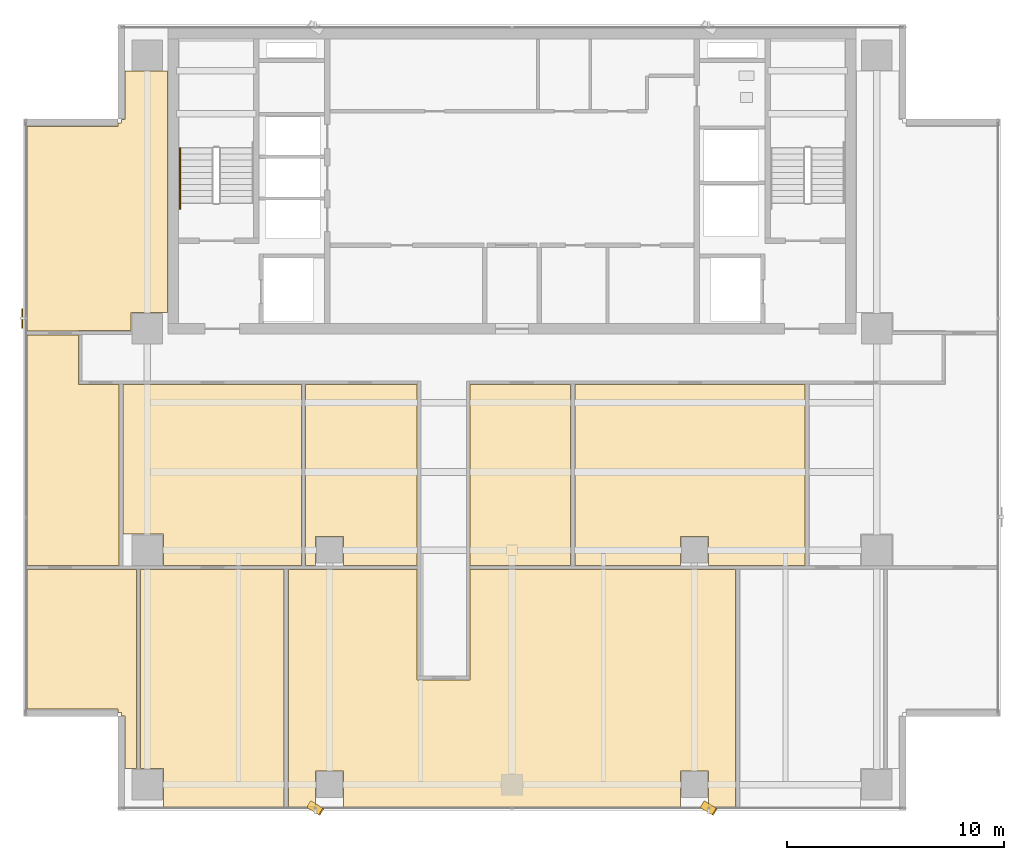
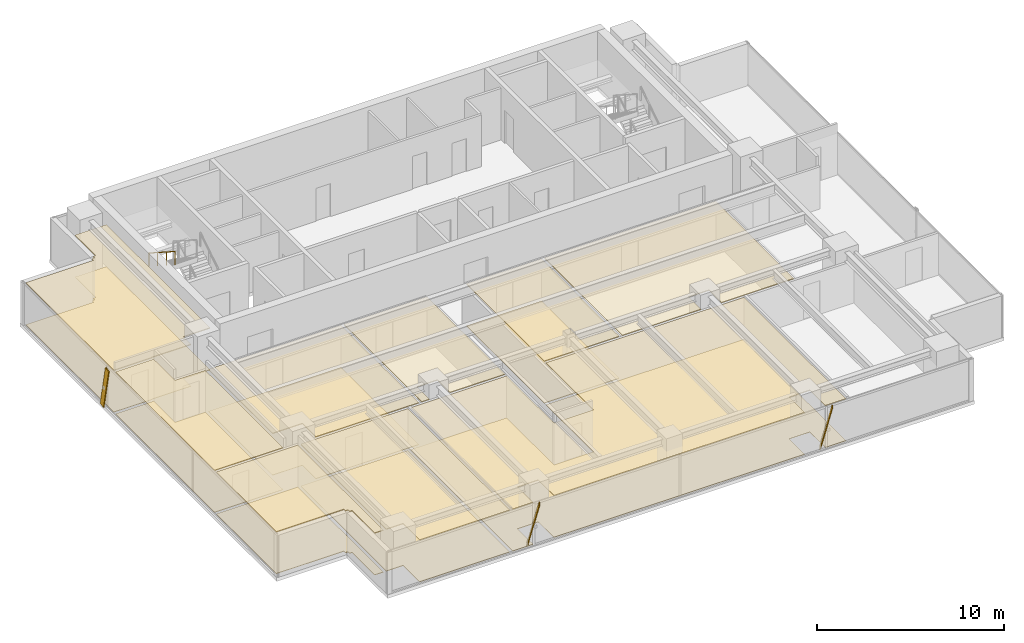
# One storey, part 22 of 26: 16 coverings, 3 shading devices, 1 railing.
"""IFC4 building model written with IfcOpenShell, lengths in metres."""

from ifc_helpers import new_model, si_unit, direction, frame, origin, origin_2d, place, context, subcontext, project, spatial, polyline, rectangle, outline, extrude, source, transform, mapped, material, layer, layer_set, material_profile, profile_set, type_object, element, save


model = new_model("IFC4")

# Units and contexts
model_context = context("Model", 3, precision=1e-05, world=origin(), true_north=direction((0.0, 1.0)))
body_context = subcontext(model_context, "Body", "Model", "MODEL_VIEW")
ifc_project = project(units=[si_unit("LENGTHUNIT", "METRE"), si_unit("AREAUNIT", "SQUARE_METRE"), si_unit("VOLUMEUNIT", "CUBIC_METRE"), si_unit("PLANEANGLEUNIT", "RADIAN"), si_unit("MASSUNIT", "GRAM", prefix="KILO")], contexts=[model_context])

# Site, building, storey
site_placement = place(None, origin())
site = spatial("IfcSite", under=ifc_project, at=site_placement, CompositionType="ELEMENT")
building_placement = place(site_placement, origin())
building = spatial("IfcBuilding", under=site, at=building_placement, Name="Sumidabori Civic Tower", CompositionType="ELEMENT")
storey_placement = place(building_placement, frame((0.0, 0.0, 243.199951171875)))
storey = spatial("IfcBuildingStorey", under=building, at=storey_placement, Name="L63", CompositionType="ELEMENT", Elevation=243.199951171875)

# Coverings
ifc_material_1 = material(Name="Anodised Bronze Baffle Ceiling")
ifc_layer_1 = layer(ifc_material_1, 0.054931640625, Name="Anodised Bronze Baffle Ceiling")
ifc_layer_set_1 = layer_set([ifc_layer_1], Name="Anodised Bronze Baffle Ceiling")
covering_type_1 = type_object("IfcCoveringType", Name="CV-CEIL-AC3", PredefinedType="CEILING", material=ifc_layer_set_1)
covering_1_placement = place(storey_placement, frame((0.0, 0.0, 2.719970703125)))
element("IfcCovering", 1, at=covering_1_placement, inside=storey, type_object=covering_type_1, Name="Room Acoustic Ceiling L63-01", PredefinedType="CEILING", context=body_context, shape_type="SweptSolid", body=[
    extrude(outline(polyline([(-22.330078125, 10.094970703125), (-22.330078125, 19.52197265625), (-18.14208984375, 19.52197265625), (-18.14208984375, 19.679931640625), (-17.97998046875, 19.679931640625), (-17.97998046875, 19.842041015625), (-17.822021484375, 19.842041015625), (-17.822021484375, 22.06005859375), (-15.8779296875, 22.06005859375), (-15.8779296875, 10.93994140625), (-17.5400390625, 10.93994140625), (-17.5400390625, 10.1201171875), (-19.969970703125, 10.1201171875), (-19.969970703125, 10.094970703125), (-22.330078125, 10.094970703125)])), origin(), (0.0, 0.0, 1.0), 0.05517578125),
])
covering_2_placement = place(storey_placement, frame((0.0, 0.0, 2.719970703125)))
element("IfcCovering", 2, at=covering_2_placement, inside=storey, type_object=covering_type_1, Name="Room Acoustic Ceiling L63-03", PredefinedType="CEILING", context=body_context, shape_type="SweptSolid", body=[
    extrude(outline(polyline([(-19.969970703125, 7.6298828125), (-18.094970703125, 7.6298828125), (-18.094970703125, -0.705078125), (-22.330078125, -0.705078125), (-22.330078125, 9.905029296875), (-19.969970703125, 9.905029296875), (-19.969970703125, 7.6298828125)])), origin(), (0.0, 0.0, 1.0), 0.05517578125),
])
covering_3_placement = place(storey_placement, frame((0.0, 0.0, 2.719970703125)))
element("IfcCovering", 3, at=covering_3_placement, inside=storey, type_object=covering_type_1, Name="Room Acoustic Ceiling L63-05", PredefinedType="CEILING", context=body_context, shape_type="SweptSolid", body=[
    extrude(outline(polyline([(-17.905029296875, 7.6298828125), (-9.695068359375, 7.6298828125), (-9.695068359375, -0.705078125), (-16.06005859375, -0.705078125), (-16.06005859375, 0.739990234375), (-17.905029296875, 0.739990234375), (-17.905029296875, 7.6298828125)])), origin(), (0.0, 0.0, 1.0), 0.05517578125),
])
covering_4_placement = place(storey_placement, frame((0.0, 0.0, 2.719970703125)))
element("IfcCovering", 4, at=covering_4_placement, inside=storey, type_object=covering_type_1, Name="Room Acoustic Ceiling L63-06", PredefinedType="CEILING", context=body_context, shape_type="SweptSolid", body=[
    extrude(outline(polyline([(-9.5048828125, 7.6298828125), (-4.3701171875, 7.6298828125), (-4.3701171875, -0.705078125), (-7.760009765625, -0.705078125), (-7.760009765625, 0.639892578125), (-9.0400390625, 0.639892578125), (-9.0400390625, -0.705078125), (-9.5048828125, -0.705078125), (-9.5048828125, 7.6298828125)])), origin(), (0.0, 0.0, 1.0), 0.05517578125),
])
covering_5_placement = place(storey_placement, frame((0.0, 0.0, 2.719970703125)))
element("IfcCovering", 5, at=covering_5_placement, inside=storey, type_object=covering_type_1, Name="Room Acoustic Ceiling L63-07", PredefinedType="CEILING", context=body_context, shape_type="SweptSolid", body=[
    extrude(outline(polyline([(-1.929931640625, 7.6298828125), (2.705078125, 7.6298828125), (2.705078125, -0.705078125), (-1.929931640625, -0.705078125), (-1.929931640625, 7.6298828125)])), origin(), (0.0, 0.0, 1.0), 0.05517578125),
])
covering_6_placement = place(storey_placement, frame((0.0, 0.0, 2.719970703125)))
element("IfcCovering", 6, at=covering_6_placement, inside=storey, type_object=covering_type_1, Name="Room Acoustic Ceiling L63-08", PredefinedType="CEILING", context=body_context, shape_type="SweptSolid", body=[
    extrude(outline(polyline([(2.89501953125, 7.6298828125), (13.5048828125, 7.6298828125), (13.5048828125, -0.705078125), (9.0400390625, -0.705078125), (9.0400390625, 0.639892578125), (7.760009765625, 0.639892578125), (7.760009765625, -0.705078125), (2.89501953125, -0.705078125), (2.89501953125, 7.6298828125)])), origin(), (0.0, 0.0, 1.0), 0.05517578125),
])
covering_7_placement = place(storey_placement, frame((0.0, 0.0, 2.719970703125)))
element("IfcCovering", 7, at=covering_7_placement, inside=storey, type_object=covering_type_1, Name="Room Acoustic Ceiling L63-09", PredefinedType="CEILING", context=body_context, shape_type="SweptSolid", body=[
    extrude(outline(polyline([(-22.330078125, -7.322021484375), (-22.330078125, -0.89501953125), (-17.294921875, -0.89501953125), (-17.294921875, -10.06005859375), (-17.822021484375, -10.06005859375), (-17.822021484375, -7.64208984375), (-17.97998046875, -7.64208984375), (-17.97998046875, -7.47998046875), (-18.14208984375, -7.47998046875), (-18.14208984375, -7.322021484375), (-22.330078125, -7.322021484375)])), origin(), (0.0, 0.0, 1.0), 0.05517578125),
])
covering_8_placement = place(storey_placement, frame((0.0, 0.0, 2.719970703125)))
element("IfcCovering", 8, at=covering_8_placement, inside=storey, type_object=covering_type_1, Name="Room Acoustic Ceiling L63-11", PredefinedType="CEILING", context=body_context, shape_type="SweptSolid", body=[
    extrude(outline(polyline([(-16.06005859375, -10.06005859375), (-17.10498046875, -10.06005859375), (-17.10498046875, -0.89501953125), (-10.4951171875, -0.89501953125), (-10.4951171875, -11.830078125), (-16.06005859375, -11.830078125), (-16.06005859375, -10.06005859375)])), origin(), (0.0, 0.0, 1.0), 0.05517578125),
])
covering_9_placement = place(storey_placement, frame((0.0, 0.0, 2.719970703125)))
element("IfcCovering", 9, at=covering_9_placement, inside=storey, type_object=covering_type_1, Name="Room Acoustic Ceiling L63-13", PredefinedType="CEILING", context=body_context, shape_type="SweptSolid", body=[
    extrude(outline(polyline([(-4.3701171875, -5.969970703125), (-1.929931640625, -5.969970703125), (-1.929931640625, -0.89501953125), (10.304931640625, -0.89501953125), (10.304931640625, -11.830078125), (9.0400390625, -11.830078125), (9.0400390625, -10.159912109375), (7.760009765625, -10.159912109375), (7.760009765625, -11.830078125), (-7.760009765625, -11.830078125), (-7.760009765625, -10.159912109375), (-9.0400390625, -10.159912109375), (-9.0400390625, -11.830078125), (-10.304931640625, -11.830078125), (-10.304931640625, -0.89501953125), (-4.3701171875, -0.89501953125), (-4.3701171875, -5.969970703125)])), origin(), (0.0, 0.0, 1.0), 0.05517578125),
])
ifc_material_2 = material(Name="Honed Terrazzo Tile Flooring")
ifc_layer_2 = layer(ifc_material_2, 0.030029296875, Name="Honed Terrazzo Tile Flooring")
ifc_layer_set_2 = layer_set([ifc_layer_2], Name="Honed Terrazzo Tile Flooring")
covering_type_2 = type_object("IfcCoveringType", Name="CV-FLR-TER", PredefinedType="FLOORING", material=ifc_layer_set_2)
covering_10_placement = place(storey_placement, origin())
element("IfcCovering", 10, at=covering_10_placement, inside=storey, type_object=covering_type_2, Name="Room Terrazzo Floor L63-01", PredefinedType="FLOORING", context=body_context, shape_type="SweptSolid", body=[
    extrude(outline(polyline([(-22.330078125, 10.094970703125), (-22.330078125, 19.52197265625), (-18.14208984375, 19.52197265625), (-18.14208984375, 19.679931640625), (-17.97998046875, 19.679931640625), (-17.97998046875, 19.842041015625), (-17.822021484375, 19.842041015625), (-17.822021484375, 22.06005859375), (-15.8779296875, 22.06005859375), (-15.8779296875, 10.93994140625), (-17.5400390625, 10.93994140625), (-17.5400390625, 10.1201171875), (-19.969970703125, 10.1201171875), (-19.969970703125, 10.094970703125), (-22.330078125, 10.094970703125)])), origin(), (0.0, 0.0, 1.0), 0.030029296875),
])
covering_11_placement = place(storey_placement, origin())
element("IfcCovering", 11, at=covering_11_placement, inside=storey, type_object=covering_type_2, Name="Room Terrazzo Floor L63-03", PredefinedType="FLOORING", context=body_context, shape_type="SweptSolid", body=[
    extrude(outline(polyline([(-19.969970703125, 7.6298828125), (-18.094970703125, 7.6298828125), (-18.094970703125, -0.705078125), (-22.330078125, -0.705078125), (-22.330078125, 9.905029296875), (-19.969970703125, 9.905029296875), (-19.969970703125, 7.6298828125)])), origin(), (0.0, 0.0, 1.0), 0.030029296875),
])
covering_12_placement = place(storey_placement, origin())
element("IfcCovering", 12, at=covering_12_placement, inside=storey, type_object=covering_type_2, Name="Room Terrazzo Floor L63-05", PredefinedType="FLOORING", context=body_context, shape_type="SweptSolid", body=[
    extrude(outline(polyline([(-17.905029296875, 7.6298828125), (-9.695068359375, 7.6298828125), (-9.695068359375, -0.705078125), (-16.06005859375, -0.705078125), (-16.06005859375, 0.739990234375), (-17.905029296875, 0.739990234375), (-17.905029296875, 7.6298828125)])), origin(), (0.0, 0.0, 1.0), 0.030029296875),
])
covering_13_placement = place(storey_placement, origin())
element("IfcCovering", 13, at=covering_13_placement, inside=storey, type_object=covering_type_2, Name="Room Terrazzo Floor L63-07", PredefinedType="FLOORING", context=body_context, shape_type="SweptSolid", body=[
    extrude(outline(polyline([(-1.929931640625, 7.6298828125), (2.705078125, 7.6298828125), (2.705078125, -0.705078125), (-1.929931640625, -0.705078125), (-1.929931640625, 7.6298828125)])), origin(), (0.0, 0.0, 1.0), 0.030029296875),
])
covering_14_placement = place(storey_placement, origin())
element("IfcCovering", 14, at=covering_14_placement, inside=storey, type_object=covering_type_2, Name="Room Terrazzo Floor L63-09", PredefinedType="FLOORING", context=body_context, shape_type="SweptSolid", body=[
    extrude(outline(polyline([(-22.330078125, -7.322021484375), (-22.330078125, -0.89501953125), (-17.294921875, -0.89501953125), (-17.294921875, -10.06005859375), (-17.822021484375, -10.06005859375), (-17.822021484375, -7.64208984375), (-17.97998046875, -7.64208984375), (-17.97998046875, -7.47998046875), (-18.14208984375, -7.47998046875), (-18.14208984375, -7.322021484375), (-22.330078125, -7.322021484375)])), origin(), (0.0, 0.0, 1.0), 0.030029296875),
])
covering_15_placement = place(storey_placement, origin())
element("IfcCovering", 15, at=covering_15_placement, inside=storey, type_object=covering_type_2, Name="Room Terrazzo Floor L63-11", PredefinedType="FLOORING", context=body_context, shape_type="SweptSolid", body=[
    extrude(outline(polyline([(-16.06005859375, -10.06005859375), (-17.10498046875, -10.06005859375), (-17.10498046875, -0.89501953125), (-10.4951171875, -0.89501953125), (-10.4951171875, -11.830078125), (-16.06005859375, -11.830078125), (-16.06005859375, -10.06005859375)])), origin(), (0.0, 0.0, 1.0), 0.030029296875),
])
covering_16_placement = place(storey_placement, origin())
element("IfcCovering", 16, at=covering_16_placement, inside=storey, type_object=covering_type_2, Name="Room Terrazzo Floor L63-13", PredefinedType="FLOORING", context=body_context, shape_type="SweptSolid", body=[
    extrude(outline(polyline([(-4.3701171875, -5.969970703125), (-1.929931640625, -5.969970703125), (-1.929931640625, -0.89501953125), (10.304931640625, -0.89501953125), (10.304931640625, -11.830078125), (9.0400390625, -11.830078125), (9.0400390625, -10.159912109375), (7.760009765625, -10.159912109375), (7.760009765625, -11.830078125), (-7.760009765625, -11.830078125), (-7.760009765625, -10.159912109375), (-9.0400390625, -10.159912109375), (-9.0400390625, -11.830078125), (-10.304931640625, -11.830078125), (-10.304931640625, -0.89501953125), (-4.3701171875, -0.89501953125), (-4.3701171875, -5.969970703125)])), origin(), (0.0, 0.0, 1.0), 0.030029296875),
])

# Railing
ifc_material_3 = material(Name="Stainless Steel Hairline Finish", Category="steel")
railing_type = type_object("IfcRailingType", Name="RL-HANDRAIL", PredefinedType="HANDRAIL", material=ifc_material_3)
railing_placement = place(storey_placement, frame((-15.2900390625, 18.52001953125, 1.97998046875)))
element("IfcRailing", 17, at=railing_placement, inside=storey, type_object=railing_type, Name="L63 ST-1 stair handrail 2", PredefinedType="HANDRAIL", context=body_context, shape_type="SweptSolid", body=[
    extrude(rectangle(XDim=0.048095703125, YDim=0.048095703125, at=origin_2d()), frame((0.0, 0.0, 0.8759765625), z_axis=(0.0, -0.84064222762, 0.54159084662), x_axis=(1.0, 0.0, 0.0)), (0.0, 0.0, 1.0), 3.330810546875),
    extrude(rectangle(XDim=0.0419921875, YDim=0.0419921875, at=origin_2d()), origin(), (0.0, 0.0, 1.0), 0.851806640625),
    extrude(rectangle(XDim=0.0419921875, YDim=0.0419921875, at=origin_2d()), frame((0.0, -0.933349609375, 0.601318359375)), (0.0, 0.0, 1.0), 0.851806640625),
    extrude(rectangle(XDim=0.0419921875, YDim=0.0419921875, at=origin_2d()), frame((0.0, -1.86669921875, 1.20263671875)), (0.0, 0.0, 1.0), 0.851806640625),
    extrude(rectangle(XDim=0.0419921875, YDim=0.0419921875, at=origin_2d()), frame((0.0, -2.800048828125, 1.803955078125)), (0.0, 0.0, 1.0), 0.851806640625),
])

# Shading devices
ifc_material_4 = material(Name="Anodised Bronze Aluminium AW-6063-T6", Category="aluminium")
ifc_material_profile = material_profile(ifc_material_4, rectangle(XDim=0.054931640625, YDim=0.360107421875, at=origin_2d()), Name="BRONZE FIN 360x55")
ifc_profile_set = profile_set([ifc_material_profile], Name="Anodised Bronze Aluminium AW-6063-T6")
shading_device_type = type_object("IfcShadingDeviceType", Name="SH-FIN-360", PredefinedType="USERDEFINED", material=ifc_profile_set)
shared_shape_1 = source(origin(), body_context, "Body", "SweptSolid", [
    extrude(rectangle(XDim=0.054931640625, YDim=0.360107421875, at=origin_2d()), origin(), (0.0, 0.0, 1.0), 2.7685546875),
])
for number, where, z_axis, x_axis, name in (
    (18, (-9.340087890625, -11.7099609375, 0.02001953125), (0.202289930374, -0.122837782481, 0.971591304646), (0.830469701518, -0.504291322674, -0.236665030656), "Bronze Anodised Diagonal Fin L63-01"),
    (19, (8.780029296875, -11.7099609375, 0.02001953125), (0.202289930374, -0.122837782481, 0.971591304646), (0.830469701518, -0.504291322674, -0.236665030656), "Bronze Anodised Diagonal Fin L63-03"),
):
    element("IfcShadingDevice", number, at=place(storey_placement, frame(where, z_axis=z_axis, x_axis=x_axis)), inside=storey, type_object=shading_device_type, Name=name, ObjectType="FIN", PredefinedType="USERDEFINED", context=body_context, shape_type="MappedRepresentation", body=[
        mapped(shared_shape_1, transform((0.0, 0.0, 0.0), x_axis=(1.0, 0.0, 0.0), y_axis=(0.0, 1.0, 0.0), z_axis=(0.0, 0.0, 1.0), scale=1.0)),
    ])
shared_shape_2 = source(origin(), body_context, "Body", "SweptSolid", [
    extrude(rectangle(XDim=0.054931640625, YDim=0.360107421875, at=origin_2d()), origin(), (0.0, 0.0, 1.0), 2.74755859375),
])
shading_device_placement = place(storey_placement, frame((-22.550048828125, 10.953369140625, 0.02001953125), z_axis=(0.0, -0.20383361069, 0.979005546028), x_axis=(-1.0, 0.0, 0.0)))
element("IfcShadingDevice", 20, at=shading_device_placement, inside=storey, type_object=shading_device_type, Name="Bronze Anodised Diagonal Fin L63-01", ObjectType="FIN", PredefinedType="USERDEFINED", context=body_context, shape_type="MappedRepresentation", body=[
    mapped(shared_shape_2, transform((0.0, 0.0, 0.0), x_axis=(1.0, 0.0, 0.0), y_axis=(0.0, 1.0, 0.0), z_axis=(0.0, 0.0, 1.0), scale=1.0)),
])

save(model, "model.ifc")
